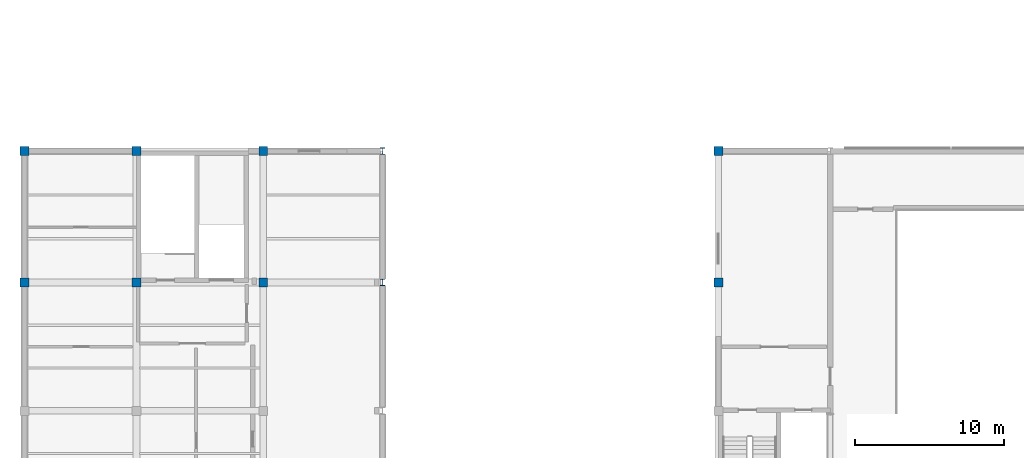
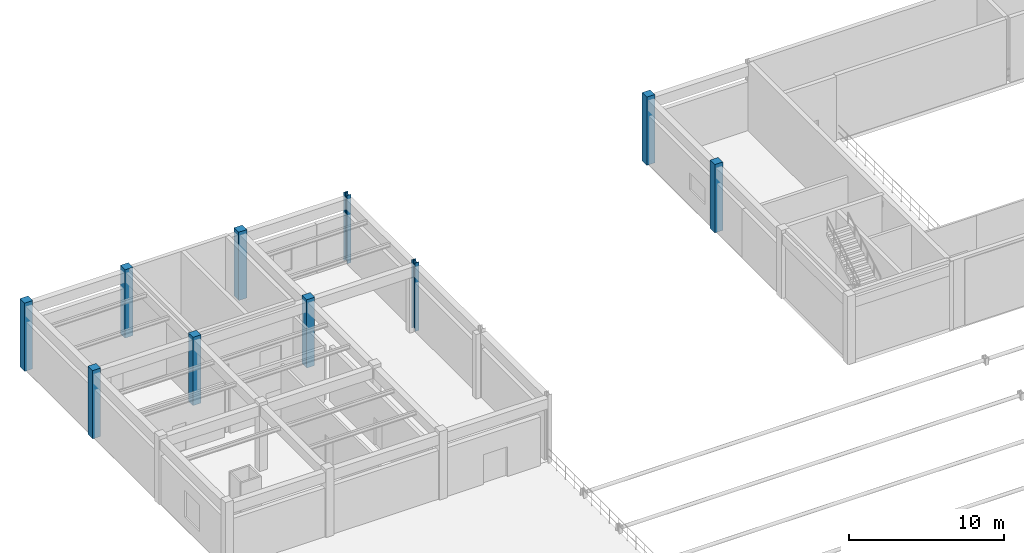
# One storey, part 4 of 38: 10 columns.
"""IFC4 building model written with IfcOpenShell, lengths in metres."""

import ifcopenshell
import ifcopenshell.guid

model = None  # the IFC model being written
_history = None  # IfcOwnerHistory: only IFC2X3 demands one
_inside = {}  # id of a spatial element -> (the spatial element, [elements in it])
_under = {}  # id of a project, library or spatial element -> (it, [spatial elements below it])
_declared = {}  # id of a project -> (the project, [libraries it declares])
_typed = {}  # id of a type object -> (the type object, [elements of that type])
_made_of = {}  # id of a material, layer set ... -> (it, [elements and type objects made of it])


def new_model(schema):
    """Start an empty IFC model of exactly this schema.

    Asked for "IFC4X3", IfcOpenShell would pick the latest addendum, in which some entities
    have other attributes; the version numbers below select the first issue.
    IFC2X3 requires an IfcOwnerHistory on every rooted entity: one is made here for all.
    """
    global model, _history
    if schema == "IFC4X3":
        model = ifcopenshell.file(schema_version=(4, 3, 0, 0))
    else:
        model = ifcopenshell.file(schema=schema)
    _inside.clear()
    _under.clear()
    _declared.clear()
    _typed.clear()
    _made_of.clear()
    _history = None
    if model.schema == "IFC2X3":
        org = make("IfcOrganization", Name="unknown")
        user = make(
            "IfcPersonAndOrganization",
            ThePerson=make("IfcPerson", FamilyName="unknown"),
            TheOrganization=org,
        )
        app = make(
            "IfcApplication",
            ApplicationDeveloper=org,
            Version="unknown",
            ApplicationFullName="unknown",
            ApplicationIdentifier="unknown",
        )
        _history = make(
            "IfcOwnerHistory",
            OwningUser=user,
            OwningApplication=app,
            ChangeAction="ADDED",
            CreationDate=0,
        )
    return model


def make(cls, **values):
    """One entity of the class cls with the attributes given. An attribute that is None is left unset."""
    return model.create_entity(
        cls, **{name: value for name, value in values.items() if value is not None}
    )


def rooted(cls, **values):
    """An entity with a GlobalId (a new one), such as an element, a storey or a relation."""
    return make(cls, GlobalId=ifcopenshell.guid.new(), OwnerHistory=_history, **values)


def si_unit(unit_type, name, prefix=None):
    """IfcSIUnit, for example si_unit("LENGTHUNIT", "METRE", prefix="MILLI")."""
    return make("IfcSIUnit", UnitType=unit_type, Prefix=prefix, Name=name)


def assignment(units):
    """IfcUnitAssignment: the units of a project."""
    return None if units is None else make("IfcUnitAssignment", Units=units)


def point(xyz):
    """IfcCartesianPoint."""
    return None if xyz is None else make("IfcCartesianPoint", Coordinates=xyz)


def direction(xyz):
    """IfcDirection."""
    return None if xyz is None else make("IfcDirection", DirectionRatios=xyz)


def frame(location, z_axis=None, x_axis=None):
    """IfcAxis2Placement3D, a coordinate frame: its origin and axes. An axis left out is left unset."""
    return make(
        "IfcAxis2Placement3D",
        Location=point(location),
        Axis=direction(z_axis),
        RefDirection=direction(x_axis),
    )


def frame_2d(location, x_axis=None):
    """IfcAxis2Placement2D, a coordinate frame in the plane: its origin and x axis."""
    return make(
        "IfcAxis2Placement2D", Location=point(location), RefDirection=direction(x_axis)
    )


def origin():
    """The frame at (0, 0, 0) with its axes left unset."""
    return frame((0.0, 0.0, 0.0))


def origin_2d():
    """The frame at (0, 0) in the plane with its x axis left unset."""
    return frame_2d((0.0, 0.0))


def place(relative_to, where):
    """IfcLocalPlacement: puts the frame where relative to a parent placement (None: the world)."""
    return make(
        "IfcLocalPlacement", PlacementRelTo=relative_to, RelativePlacement=where
    )


def context(
    kind, dimensions, precision=None, world=None, true_north=None, identifier=None
):
    """IfcGeometricRepresentationContext, for example the 3D "Model" context."""
    return make(
        "IfcGeometricRepresentationContext",
        ContextIdentifier=identifier,
        ContextType=kind,
        CoordinateSpaceDimension=dimensions,
        Precision=precision,
        WorldCoordinateSystem=world,
        TrueNorth=true_north,
    )


def subcontext(parent, identifier, kind, view, scale=None):
    """IfcGeometricRepresentationSubContext, for example "Body" below "Model"."""
    return make(
        "IfcGeometricRepresentationSubContext",
        ContextIdentifier=identifier,
        ContextType=kind,
        ParentContext=parent,
        TargetScale=scale,
        TargetView=view,
    )


def project(units=None, contexts=None):
    """IfcProject with its units and contexts."""
    return rooted(
        "IfcProject",
        Name="project",
        RepresentationContexts=contexts,
        UnitsInContext=assignment(units),
    )


def spatial(cls, under=None, at=None, **own):
    """A site, building, storey or space (cls), placed at a placement, below another one or the project."""
    s = rooted(cls, ObjectPlacement=at, **own)
    if under is not None:
        _under.setdefault(under.id(), (under, []))[1].append(s)
    return s


def profile(cls, at=None, kind="AREA", **sizes):
    """A parametric profile (cls). Its sizes go by their IFC names, for example OverallWidth=200.0."""
    return make(cls, ProfileType=kind, Position=at, **sizes)


def rectangle(**sizes):
    """IfcRectangleProfileDef."""
    return profile("IfcRectangleProfileDef", **sizes)


def i_section(**sizes):
    """IfcIShapeProfileDef."""
    return profile("IfcIShapeProfileDef", **sizes)


def extrude(swept, where, along, depth):
    """IfcExtrudedAreaSolid: the profile swept, set in the frame where, extruded along a direction by depth."""
    return make(
        "IfcExtrudedAreaSolid",
        SweptArea=swept,
        Position=where,
        ExtrudedDirection=direction(along),
        Depth=depth,
    )


def shape(context_of_items, identifier, shape_type, items):
    """IfcShapeRepresentation: the items that make up one representation, for example the "Body"."""
    return make(
        "IfcShapeRepresentation",
        ContextOfItems=context_of_items,
        RepresentationIdentifier=identifier,
        RepresentationType=shape_type,
        Items=items,
    )


def material(Name=None, Category=None):
    """IfcMaterial."""
    return make("IfcMaterial", Name=Name, Category=Category)


def material_profile(
    of_material, cross_section, Name=None, Category=None, Priority=None
):
    """IfcMaterialProfile: a cross section and its material."""
    return make(
        "IfcMaterialProfile",
        Name=Name,
        Material=of_material,
        Profile=cross_section,
        Priority=Priority,
        Category=Category,
    )


def profile_set(profiles, Name=None, composite=None):
    """IfcMaterialProfileSet."""
    return make(
        "IfcMaterialProfileSet",
        Name=Name,
        MaterialProfiles=profiles,
        CompositeProfile=composite,
    )


def made_of(thing, what):
    """Note that an element or type object is made of a material, layer set ...; save() writes the relation."""
    if what is not None:
        _made_of.setdefault(what.id(), (what, []))[1].append(thing)
    return thing


def type_object(cls, material=None, **own):
    """A type object (cls), such as IfcWallType, which elements share."""
    return made_of(rooted(cls, **own), material)


def element(
    cls,
    number,
    at=None,
    inside=None,
    cuts=None,
    type_object=None,
    material=None,
    context=None,
    identifier="Body",
    shape_type=None,
    held_by="IfcProductDefinitionShape",
    body=None,
    shapes=None,
    **own,
):
    """One element of the class cls, such as IfcWall. Its Tag is "e" and its number.

    at: its placement. inside: the storey or other place that contains it. cuts: it is an
    opening in that element (IfcRelVoidsElement). A single representation is given by context,
    identifier, shape_type and body (its items); several are given by shapes. held_by: the class
    of the entity that holds the representations. save() writes the other relations.
    """
    e = rooted(cls, Tag="e%d" % number, ObjectPlacement=at, **own)
    if body is not None:
        shapes = [shape(context, identifier, shape_type, body)]
    if shapes is not None:
        e.Representation = make(held_by, Representations=shapes)
    if inside is not None:
        _inside.setdefault(inside.id(), (inside, []))[1].append(e)
    if cuts is not None:
        rooted(
            "IfcRelVoidsElement", RelatingBuildingElement=cuts, RelatedOpeningElement=e
        )
    if type_object is not None:
        _typed.setdefault(type_object.id(), (type_object, []))[1].append(e)
    return made_of(e, material)


def aggregate(whole, parts):
    """IfcRelAggregates: a whole, such as a stair, and the parts it consists of."""
    return rooted("IfcRelAggregates", RelatingObject=whole, RelatedObjects=parts)


def save(model, path):
    """Write the relations noted so far, then the file.

    IfcRelAggregates (storeys below a building ...), IfcRelContainedInSpatialStructure (elements
    in a storey), IfcRelDefinesByType, IfcRelAssociatesMaterial and IfcRelDeclares: one each for
    every whole, place, type object, material and project.
    """
    for whole, parts in _under.values():
        aggregate(whole, parts)
    for where, things in _inside.values():
        rooted(
            "IfcRelContainedInSpatialStructure",
            RelatedElements=things,
            RelatingStructure=where,
        )
    for kind, things in _typed.values():
        rooted("IfcRelDefinesByType", RelatedObjects=things, RelatingType=kind)
    for what, things in _made_of.values():
        rooted("IfcRelAssociatesMaterial", RelatedObjects=things, RelatingMaterial=what)
    for by, libraries in _declared.values():
        rooted("IfcRelDeclares", RelatingContext=by, RelatedDefinitions=libraries)
    model.write(path)


model = new_model("IFC4")

# Units and contexts
model_context = context("Model", 3, precision=1e-05, world=origin(), true_north=direction((0.0, 1.0)))
body_context = subcontext(model_context, "Body", "Model", "MODEL_VIEW")
ifc_project = project(units=[si_unit("LENGTHUNIT", "METRE"), si_unit("AREAUNIT", "SQUARE_METRE"), si_unit("VOLUMEUNIT", "CUBIC_METRE"), si_unit("PLANEANGLEUNIT", "RADIAN"), si_unit("MASSUNIT", "GRAM", prefix="KILO")], contexts=[model_context])

# Site, building, storey
site_placement = place(None, origin())
site = spatial("IfcSite", under=ifc_project, at=site_placement, CompositionType="ELEMENT")
building_placement = place(site_placement, origin())
building = spatial("IfcBuilding", under=site, at=building_placement, Name="Muzn Square Opera House", CompositionType="ELEMENT")
storey_placement = place(building_placement, frame((0.0, 0.0, 18.0)))
storey = spatial("IfcBuildingStorey", under=building, at=storey_placement, Name="L04", CompositionType="ELEMENT", Elevation=18.0)

# Columns
ifc_material_1 = material(Name="Concrete C45/55", Category="concrete")
ifc_material_profile_1 = material_profile(ifc_material_1, rectangle(XDim=0.60009765625, YDim=0.60009765625, at=origin_2d()), Name="RC 600x600", Category="concrete")
ifc_profile_set_1 = profile_set([ifc_material_profile_1], Name="Concrete C45/55")
column_type_1 = type_object("IfcColumnType", Name="Frame Column 600x600", PredefinedType="COLUMN", material=ifc_profile_set_1)
for number, where, z_axis, x_axis, name in (
    (1, (19.0, 89.800048828125, 0.0), (0.0, 0.0, 1.0), (1.0, 0.0, 0.0), "Column COL-L04-COL-600-190_898"),
    (2, (19.0, 98.60009765625, 0.0), (0.0, 0.0, 1.0), (1.0, 0.0, 0.0), "Column COL-L04-COL-600-190_986"),
    (3, (26.5, 89.800048828125, 0.0), (0.0, 0.0, 1.0), (1.0, 0.0, 0.0), "Column COL-L04-COL-600-265_898"),
    (4, (26.5, 98.60009765625, 0.0), (0.0, 0.0, 1.0), (1.0, 0.0, 0.0), "Column COL-L04-COL-600-265_986"),
    (5, (35.0, 89.800048828125, 0.0), (0.0, 0.0, 1.0), (1.0, 0.0, 0.0), "Column COL-L04-COL-600-350_898"),
    (6, (35.0, 98.60009765625, 0.0), (0.0, 0.0, 1.0), (1.0, 0.0, 0.0), "Column COL-L04-COL-600-350_986"),
    (7, (65.5, 89.800048828125, 0.0), (0.0, 0.0, 1.0), (1.0, 0.0, 0.0), "Column COL-L04-COL-600-655_898"),
    (8, (65.5, 98.60009765625, 0.0), (0.0, 0.0, 1.0), (1.0, 0.0, 0.0), "Column COL-L04-COL-600-655_986"),
):
    element("IfcColumn", number, at=place(storey_placement, frame(where, z_axis=z_axis, x_axis=x_axis)), inside=storey, type_object=column_type_1, Name=name, PredefinedType="COLUMN", context=body_context, shape_type="SweptSolid", body=[
        extrude(rectangle(XDim=0.60009765625, YDim=0.60009765625, at=origin_2d()), origin(), (0.0, 0.0, 1.0), 5.39990234375),
    ])
ifc_material_2 = material(Name="Steel S355", Category="steel")
ifc_material_profile_2 = material_profile(ifc_material_2, i_section(OverallWidth=0.300048828125, OverallDepth=0.449951171875, WebThickness=0.013916015625, FlangeThickness=0.02587890625, FilletRadius=0.027099609375, at=origin_2d()), Name="HEB 450", Category="steel")
ifc_profile_set_2 = profile_set([ifc_material_profile_2], Name="Steel S355")
column_type_2 = type_object("IfcColumnType", Name="Steel Gallery Column HEB450", PredefinedType="COLUMN", material=ifc_profile_set_2)
for number, where, z_axis, x_axis, name in (
    (9, (43.0, 89.800048828125, 0.0), (0.0, 0.0, 1.0), (1.0, 0.0, 0.0), "Column COL-L04-COL-HEB450-430_898"),
    (10, (43.0, 98.60009765625, 0.0), (0.0, 0.0, 1.0), (1.0, 0.0, 0.0), "Column COL-L04-COL-HEB450-430_986"),
):
    element("IfcColumn", number, at=place(storey_placement, frame(where, z_axis=z_axis, x_axis=x_axis)), inside=storey, type_object=column_type_2, Name=name, PredefinedType="COLUMN", context=body_context, shape_type="SweptSolid", body=[
        extrude(i_section(OverallWidth=0.300048828125, OverallDepth=0.449951171875, WebThickness=0.013916015625, FlangeThickness=0.02587890625, FilletRadius=0.027099609375, at=origin_2d()), origin(), (0.0, 0.0, 1.0), 5.39990234375),
    ])

save(model, "model.ifc")
